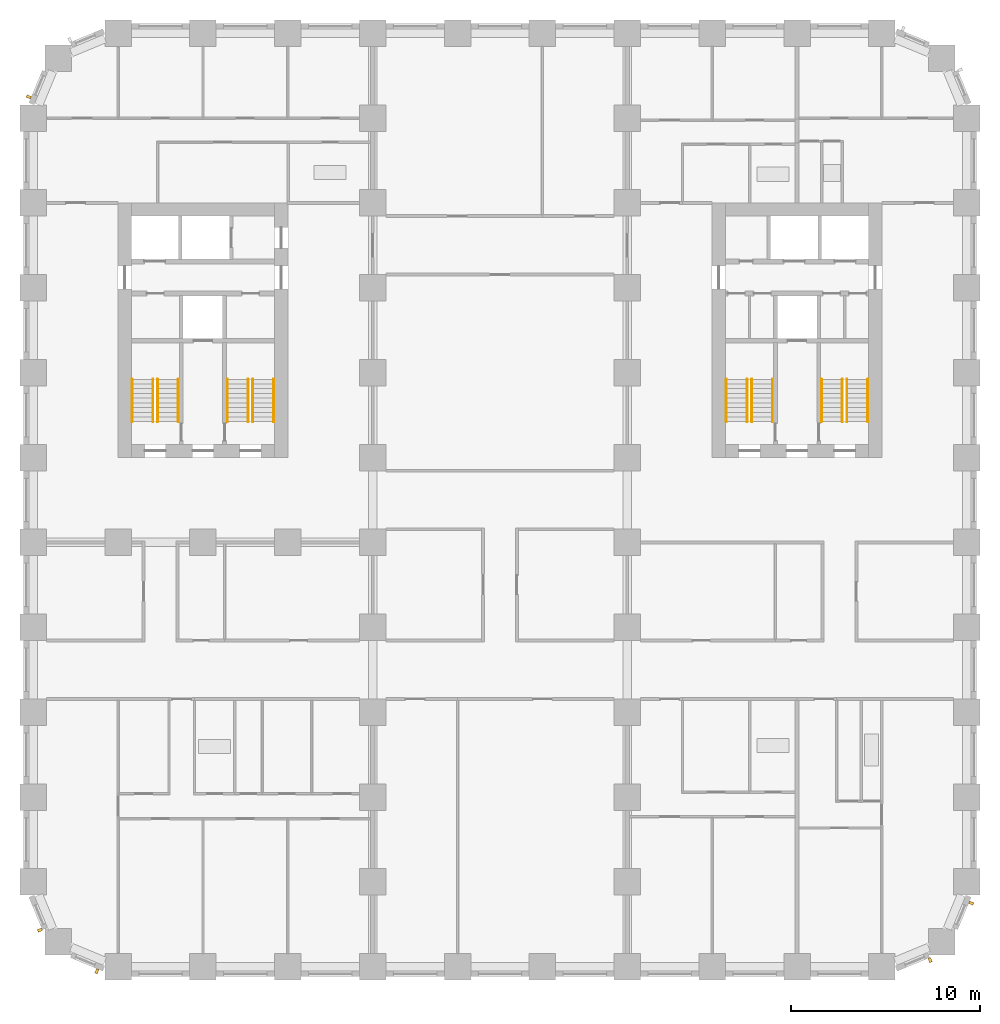
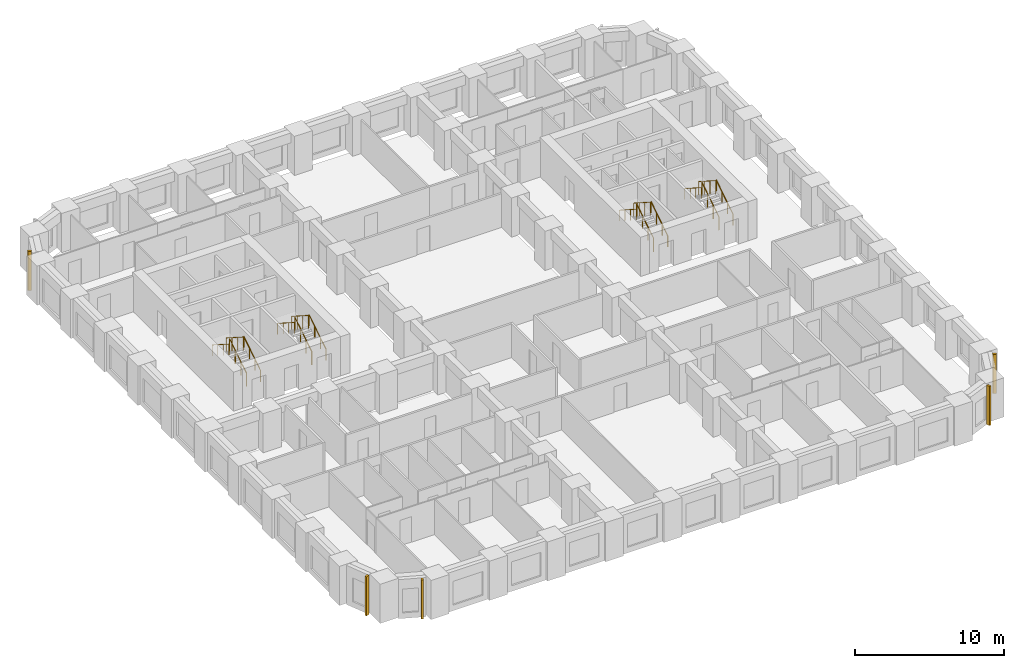
# One storey, part 10 of 12: 16 railings, 5 shading devices.
"""IFC4 building model written with IfcOpenShell, lengths in metres."""

import ifcopenshell
import ifcopenshell.guid

model = None  # the IFC model being written
_history = None  # IfcOwnerHistory: only IFC2X3 demands one
_inside = {}  # id of a spatial element -> (the spatial element, [elements in it])
_under = {}  # id of a project, library or spatial element -> (it, [spatial elements below it])
_declared = {}  # id of a project -> (the project, [libraries it declares])
_typed = {}  # id of a type object -> (the type object, [elements of that type])
_made_of = {}  # id of a material, layer set ... -> (it, [elements and type objects made of it])


def new_model(schema):
    """Start an empty IFC model of exactly this schema.

    Asked for "IFC4X3", IfcOpenShell would pick the latest addendum, in which some entities
    have other attributes; the version numbers below select the first issue.
    IFC2X3 requires an IfcOwnerHistory on every rooted entity: one is made here for all.
    """
    global model, _history
    if schema == "IFC4X3":
        model = ifcopenshell.file(schema_version=(4, 3, 0, 0))
    else:
        model = ifcopenshell.file(schema=schema)
    _inside.clear()
    _under.clear()
    _declared.clear()
    _typed.clear()
    _made_of.clear()
    _history = None
    if model.schema == "IFC2X3":
        org = make("IfcOrganization", Name="unknown")
        user = make(
            "IfcPersonAndOrganization",
            ThePerson=make("IfcPerson", FamilyName="unknown"),
            TheOrganization=org,
        )
        app = make(
            "IfcApplication",
            ApplicationDeveloper=org,
            Version="unknown",
            ApplicationFullName="unknown",
            ApplicationIdentifier="unknown",
        )
        _history = make(
            "IfcOwnerHistory",
            OwningUser=user,
            OwningApplication=app,
            ChangeAction="ADDED",
            CreationDate=0,
        )
    return model


def make(cls, **values):
    """One entity of the class cls with the attributes given. An attribute that is None is left unset."""
    return model.create_entity(
        cls, **{name: value for name, value in values.items() if value is not None}
    )


def rooted(cls, **values):
    """An entity with a GlobalId (a new one), such as an element, a storey or a relation."""
    return make(cls, GlobalId=ifcopenshell.guid.new(), OwnerHistory=_history, **values)


def si_unit(unit_type, name, prefix=None):
    """IfcSIUnit, for example si_unit("LENGTHUNIT", "METRE", prefix="MILLI")."""
    return make("IfcSIUnit", UnitType=unit_type, Prefix=prefix, Name=name)


def assignment(units):
    """IfcUnitAssignment: the units of a project."""
    return None if units is None else make("IfcUnitAssignment", Units=units)


def point(xyz):
    """IfcCartesianPoint."""
    return None if xyz is None else make("IfcCartesianPoint", Coordinates=xyz)


def direction(xyz):
    """IfcDirection."""
    return None if xyz is None else make("IfcDirection", DirectionRatios=xyz)


def frame(location, z_axis=None, x_axis=None):
    """IfcAxis2Placement3D, a coordinate frame: its origin and axes. An axis left out is left unset."""
    return make(
        "IfcAxis2Placement3D",
        Location=point(location),
        Axis=direction(z_axis),
        RefDirection=direction(x_axis),
    )


def frame_2d(location, x_axis=None):
    """IfcAxis2Placement2D, a coordinate frame in the plane: its origin and x axis."""
    return make(
        "IfcAxis2Placement2D", Location=point(location), RefDirection=direction(x_axis)
    )


def origin():
    """The frame at (0, 0, 0) with its axes left unset."""
    return frame((0.0, 0.0, 0.0))


def origin_2d():
    """The frame at (0, 0) in the plane with its x axis left unset."""
    return frame_2d((0.0, 0.0))


def place(relative_to, where):
    """IfcLocalPlacement: puts the frame where relative to a parent placement (None: the world)."""
    return make(
        "IfcLocalPlacement", PlacementRelTo=relative_to, RelativePlacement=where
    )


def context(
    kind, dimensions, precision=None, world=None, true_north=None, identifier=None
):
    """IfcGeometricRepresentationContext, for example the 3D "Model" context."""
    return make(
        "IfcGeometricRepresentationContext",
        ContextIdentifier=identifier,
        ContextType=kind,
        CoordinateSpaceDimension=dimensions,
        Precision=precision,
        WorldCoordinateSystem=world,
        TrueNorth=true_north,
    )


def subcontext(parent, identifier, kind, view, scale=None):
    """IfcGeometricRepresentationSubContext, for example "Body" below "Model"."""
    return make(
        "IfcGeometricRepresentationSubContext",
        ContextIdentifier=identifier,
        ContextType=kind,
        ParentContext=parent,
        TargetScale=scale,
        TargetView=view,
    )


def project(units=None, contexts=None):
    """IfcProject with its units and contexts."""
    return rooted(
        "IfcProject",
        Name="project",
        RepresentationContexts=contexts,
        UnitsInContext=assignment(units),
    )


def spatial(cls, under=None, at=None, **own):
    """A site, building, storey or space (cls), placed at a placement, below another one or the project."""
    s = rooted(cls, ObjectPlacement=at, **own)
    if under is not None:
        _under.setdefault(under.id(), (under, []))[1].append(s)
    return s


def profile(cls, at=None, kind="AREA", **sizes):
    """A parametric profile (cls). Its sizes go by their IFC names, for example OverallWidth=200.0."""
    return make(cls, ProfileType=kind, Position=at, **sizes)


def rectangle(**sizes):
    """IfcRectangleProfileDef."""
    return profile("IfcRectangleProfileDef", **sizes)


def circle(**sizes):
    """IfcCircleProfileDef."""
    return profile("IfcCircleProfileDef", **sizes)


def extrude(swept, where, along, depth):
    """IfcExtrudedAreaSolid: the profile swept, set in the frame where, extruded along a direction by depth."""
    return make(
        "IfcExtrudedAreaSolid",
        SweptArea=swept,
        Position=where,
        ExtrudedDirection=direction(along),
        Depth=depth,
    )


def shape(context_of_items, identifier, shape_type, items):
    """IfcShapeRepresentation: the items that make up one representation, for example the "Body"."""
    return make(
        "IfcShapeRepresentation",
        ContextOfItems=context_of_items,
        RepresentationIdentifier=identifier,
        RepresentationType=shape_type,
        Items=items,
    )


def material(Name=None, Category=None):
    """IfcMaterial."""
    return make("IfcMaterial", Name=Name, Category=Category)


def made_of(thing, what):
    """Note that an element or type object is made of a material, layer set ...; save() writes the relation."""
    if what is not None:
        _made_of.setdefault(what.id(), (what, []))[1].append(thing)
    return thing


def type_object(cls, material=None, **own):
    """A type object (cls), such as IfcWallType, which elements share."""
    return made_of(rooted(cls, **own), material)


def element(
    cls,
    number,
    at=None,
    inside=None,
    cuts=None,
    type_object=None,
    material=None,
    context=None,
    identifier="Body",
    shape_type=None,
    held_by="IfcProductDefinitionShape",
    body=None,
    shapes=None,
    **own,
):
    """One element of the class cls, such as IfcWall. Its Tag is "e" and its number.

    at: its placement. inside: the storey or other place that contains it. cuts: it is an
    opening in that element (IfcRelVoidsElement). A single representation is given by context,
    identifier, shape_type and body (its items); several are given by shapes. held_by: the class
    of the entity that holds the representations. save() writes the other relations.
    """
    e = rooted(cls, Tag="e%d" % number, ObjectPlacement=at, **own)
    if body is not None:
        shapes = [shape(context, identifier, shape_type, body)]
    if shapes is not None:
        e.Representation = make(held_by, Representations=shapes)
    if inside is not None:
        _inside.setdefault(inside.id(), (inside, []))[1].append(e)
    if cuts is not None:
        rooted(
            "IfcRelVoidsElement", RelatingBuildingElement=cuts, RelatedOpeningElement=e
        )
    if type_object is not None:
        _typed.setdefault(type_object.id(), (type_object, []))[1].append(e)
    return made_of(e, material)


def aggregate(whole, parts):
    """IfcRelAggregates: a whole, such as a stair, and the parts it consists of."""
    return rooted("IfcRelAggregates", RelatingObject=whole, RelatedObjects=parts)


def save(model, path):
    """Write the relations noted so far, then the file.

    IfcRelAggregates (storeys below a building ...), IfcRelContainedInSpatialStructure (elements
    in a storey), IfcRelDefinesByType, IfcRelAssociatesMaterial and IfcRelDeclares: one each for
    every whole, place, type object, material and project.
    """
    for whole, parts in _under.values():
        aggregate(whole, parts)
    for where, things in _inside.values():
        rooted(
            "IfcRelContainedInSpatialStructure",
            RelatedElements=things,
            RelatingStructure=where,
        )
    for kind, things in _typed.values():
        rooted("IfcRelDefinesByType", RelatedObjects=things, RelatingType=kind)
    for what, things in _made_of.values():
        rooted("IfcRelAssociatesMaterial", RelatedObjects=things, RelatingMaterial=what)
    for by, libraries in _declared.values():
        rooted("IfcRelDeclares", RelatingContext=by, RelatedDefinitions=libraries)
    model.write(path)


model = new_model("IFC4")

# Units and contexts
model_context = context("Model", 3, precision=1e-05, world=origin(), true_north=direction((0.0, 1.0)))
body_context = subcontext(model_context, "Body", "Model", "MODEL_VIEW")
ifc_project = project(units=[si_unit("LENGTHUNIT", "METRE"), si_unit("AREAUNIT", "SQUARE_METRE"), si_unit("VOLUMEUNIT", "CUBIC_METRE"), si_unit("PLANEANGLEUNIT", "RADIAN"), si_unit("MASSUNIT", "GRAM", prefix="KILO")], contexts=[model_context])

# Site, building, storey
site_placement = place(None, origin())
site = spatial("IfcSite", under=ifc_project, at=site_placement, CompositionType="ELEMENT")
building_placement = place(site_placement, origin())
building = spatial("IfcBuilding", under=site, at=building_placement, Name="Girih Gate Residences", CompositionType="ELEMENT")
storey_placement = place(building_placement, frame((0.0, 0.0, 62.39990234375)))
storey = spatial("IfcBuildingStorey", under=building, at=storey_placement, Name="L16", CompositionType="ELEMENT", Elevation=62.39990234375)

# Shading devices
ifc_material_1 = material(Name="Precast concrete C50/60", Category="concrete")
shading_device_type = type_object("IfcShadingDeviceType", Name="Corner rib 150x250", PredefinedType="USERDEFINED", material=ifc_material_1)
for number, where, z_axis, x_axis, name in (
    (1, (0.35498046875, 1.9443359375, 0.0), (0.0, 0.0, 1.0), (0.382683432365, -0.923879532511, 0.0), "Corner rib SW0000_0045.0"),
    (2, (3.376220703125, -0.238037109375, 0.0), (0.0, 0.0, 1.0), (0.923879532511, -0.382683432365, 0.0), "Corner rib SW0013_0013.0"),
    (3, (47.5556640625, 0.35498046875, 0.0), (0.0, 0.0, 1.0), (0.923879532511, 0.382683432365, 0.0), "Corner rib SE0450_0000.0"),
    (4, (49.738037109375, 3.376220703125, 0.0), (0.0, 0.0, 1.0), (0.382683432365, 0.923879532511, 0.0), "Corner rib SE0482_0013.0"),
    (5, (-0.238037109375, 46.123779296875, 0.0), (0.0, 0.0, 1.0), (-0.382683432365, -0.923879532511, 0.0), "Corner rib NW0013_0482.0"),
):
    element("IfcShadingDevice", number, at=place(storey_placement, frame(where, z_axis=z_axis, x_axis=x_axis)), inside=storey, type_object=shading_device_type, Name=name, ObjectType="FIN", PredefinedType="USERDEFINED", context=body_context, shape_type="SweptSolid", body=[
        extrude(rectangle(XDim=0.14990234375, YDim=0.25, at=origin_2d()), origin(), (0.0, 0.0, 1.0), 3.199951171875),
    ])

# Railings
ifc_material_2 = material(Name="Stainless steel", Category="steel")
railing_type_1 = type_object("IfcRailingType", Name="Stair guard 1100", PredefinedType="GUARDRAIL", material=ifc_material_2)
railing_1_placement = place(storey_placement, frame((6.60009765625, 28.89990234375, 0.16015625)))
element("IfcRailing", 6, at=railing_1_placement, inside=storey, type_object=railing_type_1, Name="L16 ST-W1 stair guard 1", PredefinedType="GUARDRAIL", context=body_context, shape_type="SweptSolid", body=[
    extrude(circle(Radius=0.02392578125, at=origin_2d()), frame((0.0, 0.0, 1.076171875), z_axis=(0.0, 0.842281359387, 0.539038135598), x_axis=(-1.0, 0.0, 0.0)), (0.0, 0.0, 1.0), 2.67138671875),
    extrude(circle(Radius=0.02099609375, at=origin_2d()), origin(), (0.0, 0.0, 1.0), 1.052001953125),
    extrude(circle(Radius=0.02099609375, at=origin_2d()), frame((0.0, 0.75, 0.47998046875)), (0.0, 0.0, 1.0), 1.052001953125),
    extrude(circle(Radius=0.02099609375, at=origin_2d()), frame((0.0, 1.5, 0.9599609375)), (0.0, 0.0, 1.0), 1.052001953125),
    extrude(circle(Radius=0.02099609375, at=origin_2d()), frame((0.0, 2.25, 1.43994140625)), (0.0, 0.0, 1.0), 1.052001953125),
])
railing_2_placement = place(storey_placement, frame((6.35009765625, 31.14990234375, 1.760009765625)))
element("IfcRailing", 7, at=railing_2_placement, inside=storey, type_object=railing_type_1, Name="L16 ST-W1 stair guard 2", PredefinedType="GUARDRAIL", context=body_context, shape_type="SweptSolid", body=[
    extrude(circle(Radius=0.02392578125, at=origin_2d()), frame((0.0, 0.0, 1.076171875), z_axis=(0.0, -0.842239864353, 0.539102968731), x_axis=(1.0, 0.0, 0.0)), (0.0, 0.0, 1.0), 2.67138671875),
    extrude(circle(Radius=0.02099609375, at=origin_2d()), origin(), (0.0, 0.0, 1.0), 1.052001953125),
    extrude(circle(Radius=0.02099609375, at=origin_2d()), frame((0.0, -0.75, 0.47998046875)), (0.0, 0.0, 1.0), 1.052001953125),
    extrude(circle(Radius=0.02099609375, at=origin_2d()), frame((0.0, -1.5, 0.960205078125)), (0.0, 0.0, 1.0), 1.052001953125),
    extrude(circle(Radius=0.02099609375, at=origin_2d()), frame((0.0, -2.25, 1.440185546875)), (0.0, 0.0, 1.0), 1.052001953125),
])
railing_3_placement = place(storey_placement, frame((11.64990234375, 28.89990234375, 0.16015625)))
element("IfcRailing", 8, at=railing_3_placement, inside=storey, type_object=railing_type_1, Name="L16 ST-W2 stair guard 1", PredefinedType="GUARDRAIL", context=body_context, shape_type="SweptSolid", body=[
    extrude(circle(Radius=0.02392578125, at=origin_2d()), frame((0.0, 0.0, 1.076171875), z_axis=(0.0, 0.842281359387, 0.539038135598), x_axis=(-1.0, 0.0, 0.0)), (0.0, 0.0, 1.0), 2.67138671875),
    extrude(circle(Radius=0.02099609375, at=origin_2d()), origin(), (0.0, 0.0, 1.0), 1.052001953125),
    extrude(circle(Radius=0.02099609375, at=origin_2d()), frame((0.0, 0.75, 0.47998046875)), (0.0, 0.0, 1.0), 1.052001953125),
    extrude(circle(Radius=0.02099609375, at=origin_2d()), frame((0.0, 1.5, 0.9599609375)), (0.0, 0.0, 1.0), 1.052001953125),
    extrude(circle(Radius=0.02099609375, at=origin_2d()), frame((0.0, 2.25, 1.43994140625)), (0.0, 0.0, 1.0), 1.052001953125),
])
railing_4_placement = place(storey_placement, frame((11.39990234375, 31.14990234375, 1.760009765625)))
element("IfcRailing", 9, at=railing_4_placement, inside=storey, type_object=railing_type_1, Name="L16 ST-W2 stair guard 2", PredefinedType="GUARDRAIL", context=body_context, shape_type="SweptSolid", body=[
    extrude(circle(Radius=0.02392578125, at=origin_2d()), frame((0.0, 0.0, 1.076171875), z_axis=(0.0, -0.842239864353, 0.539102968731), x_axis=(1.0, 0.0, 0.0)), (0.0, 0.0, 1.0), 2.67138671875),
    extrude(circle(Radius=0.02099609375, at=origin_2d()), origin(), (0.0, 0.0, 1.0), 1.052001953125),
    extrude(circle(Radius=0.02099609375, at=origin_2d()), frame((0.0, -0.75, 0.47998046875)), (0.0, 0.0, 1.0), 1.052001953125),
    extrude(circle(Radius=0.02099609375, at=origin_2d()), frame((0.0, -1.5, 0.960205078125)), (0.0, 0.0, 1.0), 1.052001953125),
    extrude(circle(Radius=0.02099609375, at=origin_2d()), frame((0.0, -2.25, 1.440185546875)), (0.0, 0.0, 1.0), 1.052001953125),
])
railing_5_placement = place(storey_placement, frame((43.14990234375, 28.89990234375, 0.16015625)))
element("IfcRailing", 10, at=railing_5_placement, inside=storey, type_object=railing_type_1, Name="L16 ST-E1 stair guard 1", PredefinedType="GUARDRAIL", context=body_context, shape_type="SweptSolid", body=[
    extrude(circle(Radius=0.02392578125, at=origin_2d()), frame((0.0, 0.0, 1.076171875), z_axis=(0.0, 0.842281359387, 0.539038135598), x_axis=(-1.0, 0.0, 0.0)), (0.0, 0.0, 1.0), 2.67138671875),
    extrude(circle(Radius=0.02099609375, at=origin_2d()), origin(), (0.0, 0.0, 1.0), 1.052001953125),
    extrude(circle(Radius=0.02099609375, at=origin_2d()), frame((0.0, 0.75, 0.47998046875)), (0.0, 0.0, 1.0), 1.052001953125),
    extrude(circle(Radius=0.02099609375, at=origin_2d()), frame((0.0, 1.5, 0.9599609375)), (0.0, 0.0, 1.0), 1.052001953125),
    extrude(circle(Radius=0.02099609375, at=origin_2d()), frame((0.0, 2.25, 1.43994140625)), (0.0, 0.0, 1.0), 1.052001953125),
])
railing_6_placement = place(storey_placement, frame((42.89990234375, 31.14990234375, 1.760009765625)))
element("IfcRailing", 11, at=railing_6_placement, inside=storey, type_object=railing_type_1, Name="L16 ST-E1 stair guard 2", PredefinedType="GUARDRAIL", context=body_context, shape_type="SweptSolid", body=[
    extrude(circle(Radius=0.02392578125, at=origin_2d()), frame((0.0, 0.0, 1.076171875), z_axis=(0.0, -0.842239864353, 0.539102968731), x_axis=(1.0, 0.0, 0.0)), (0.0, 0.0, 1.0), 2.67138671875),
    extrude(circle(Radius=0.02099609375, at=origin_2d()), origin(), (0.0, 0.0, 1.0), 1.052001953125),
    extrude(circle(Radius=0.02099609375, at=origin_2d()), frame((0.0, -0.75, 0.47998046875)), (0.0, 0.0, 1.0), 1.052001953125),
    extrude(circle(Radius=0.02099609375, at=origin_2d()), frame((0.0, -1.5, 0.960205078125)), (0.0, 0.0, 1.0), 1.052001953125),
    extrude(circle(Radius=0.02099609375, at=origin_2d()), frame((0.0, -2.25, 1.440185546875)), (0.0, 0.0, 1.0), 1.052001953125),
])
railing_7_placement = place(storey_placement, frame((38.10009765625, 28.89990234375, 0.16015625)))
element("IfcRailing", 12, at=railing_7_placement, inside=storey, type_object=railing_type_1, Name="L16 ST-E2 stair guard 1", PredefinedType="GUARDRAIL", context=body_context, shape_type="SweptSolid", body=[
    extrude(circle(Radius=0.02392578125, at=origin_2d()), frame((0.0, 0.0, 1.076171875), z_axis=(0.0, 0.842281359387, 0.539038135598), x_axis=(-1.0, 0.0, 0.0)), (0.0, 0.0, 1.0), 2.67138671875),
    extrude(circle(Radius=0.02099609375, at=origin_2d()), origin(), (0.0, 0.0, 1.0), 1.052001953125),
    extrude(circle(Radius=0.02099609375, at=origin_2d()), frame((0.0, 0.75, 0.47998046875)), (0.0, 0.0, 1.0), 1.052001953125),
    extrude(circle(Radius=0.02099609375, at=origin_2d()), frame((0.0, 1.5, 0.9599609375)), (0.0, 0.0, 1.0), 1.052001953125),
    extrude(circle(Radius=0.02099609375, at=origin_2d()), frame((0.0, 2.25, 1.43994140625)), (0.0, 0.0, 1.0), 1.052001953125),
])
railing_8_placement = place(storey_placement, frame((37.85009765625, 31.14990234375, 1.760009765625)))
element("IfcRailing", 13, at=railing_8_placement, inside=storey, type_object=railing_type_1, Name="L16 ST-E2 stair guard 2", PredefinedType="GUARDRAIL", context=body_context, shape_type="SweptSolid", body=[
    extrude(circle(Radius=0.02392578125, at=origin_2d()), frame((0.0, 0.0, 1.076171875), z_axis=(0.0, -0.842239864353, 0.539102968731), x_axis=(1.0, 0.0, 0.0)), (0.0, 0.0, 1.0), 2.67138671875),
    extrude(circle(Radius=0.02099609375, at=origin_2d()), origin(), (0.0, 0.0, 1.0), 1.052001953125),
    extrude(circle(Radius=0.02099609375, at=origin_2d()), frame((0.0, -0.75, 0.47998046875)), (0.0, 0.0, 1.0), 1.052001953125),
    extrude(circle(Radius=0.02099609375, at=origin_2d()), frame((0.0, -1.5, 0.960205078125)), (0.0, 0.0, 1.0), 1.052001953125),
    extrude(circle(Radius=0.02099609375, at=origin_2d()), frame((0.0, -2.25, 1.440185546875)), (0.0, 0.0, 1.0), 1.052001953125),
])
railing_type_2 = type_object("IfcRailingType", Name="Stair handrail 900", PredefinedType="HANDRAIL", material=ifc_material_2)
railing_9_placement = place(storey_placement, frame((7.699951171875, 28.89990234375, 0.16015625)))
element("IfcRailing", 14, at=railing_9_placement, inside=storey, type_object=railing_type_2, Name="L16 ST-W1 stair handrail 1", PredefinedType="HANDRAIL", context=body_context, shape_type="SweptSolid", body=[
    extrude(circle(Radius=0.02392578125, at=origin_2d()), frame((0.0, 0.0, 0.8857421875), z_axis=(0.0, 0.842281359387, 0.539038135598), x_axis=(-1.0, 0.0, 0.0)), (0.0, 0.0, 1.0), 2.67138671875),
    extrude(circle(Radius=0.02099609375, at=origin_2d()), origin(), (0.0, 0.0, 1.0), 0.86181640625),
    extrude(circle(Radius=0.02099609375, at=origin_2d()), frame((0.0, 0.75, 0.47998046875)), (0.0, 0.0, 1.0), 0.86181640625),
    extrude(circle(Radius=0.02099609375, at=origin_2d()), frame((0.0, 1.5, 0.9599609375)), (0.0, 0.0, 1.0), 0.86181640625),
    extrude(circle(Radius=0.02099609375, at=origin_2d()), frame((0.0, 2.25, 1.43994140625)), (0.0, 0.0, 1.0), 0.86181640625),
])
railing_10_placement = place(storey_placement, frame((5.25, 31.14990234375, 1.760009765625)))
element("IfcRailing", 15, at=railing_10_placement, inside=storey, type_object=railing_type_2, Name="L16 ST-W1 stair handrail 2", PredefinedType="HANDRAIL", context=body_context, shape_type="SweptSolid", body=[
    extrude(circle(Radius=0.02392578125, at=origin_2d()), frame((0.0, 0.0, 0.8857421875), z_axis=(0.0, -0.842239864353, 0.539102968731), x_axis=(1.0, 0.0, 0.0)), (0.0, 0.0, 1.0), 2.67138671875),
    extrude(circle(Radius=0.02099609375, at=origin_2d()), origin(), (0.0, 0.0, 1.0), 0.86181640625),
    extrude(circle(Radius=0.02099609375, at=origin_2d()), frame((0.0, -0.75, 0.47998046875)), (0.0, 0.0, 1.0), 0.86181640625),
    extrude(circle(Radius=0.02099609375, at=origin_2d()), frame((0.0, -1.5, 0.960205078125)), (0.0, 0.0, 1.0), 0.86181640625),
    extrude(circle(Radius=0.02099609375, at=origin_2d()), frame((0.0, -2.25, 1.440185546875)), (0.0, 0.0, 1.0), 0.86181640625),
])
railing_11_placement = place(storey_placement, frame((12.75, 28.89990234375, 0.16015625)))
element("IfcRailing", 16, at=railing_11_placement, inside=storey, type_object=railing_type_2, Name="L16 ST-W2 stair handrail 1", PredefinedType="HANDRAIL", context=body_context, shape_type="SweptSolid", body=[
    extrude(circle(Radius=0.02392578125, at=origin_2d()), frame((0.0, 0.0, 0.8857421875), z_axis=(0.0, 0.842281359387, 0.539038135598), x_axis=(-1.0, 0.0, 0.0)), (0.0, 0.0, 1.0), 2.67138671875),
    extrude(circle(Radius=0.02099609375, at=origin_2d()), origin(), (0.0, 0.0, 1.0), 0.86181640625),
    extrude(circle(Radius=0.02099609375, at=origin_2d()), frame((0.0, 0.75, 0.47998046875)), (0.0, 0.0, 1.0), 0.86181640625),
    extrude(circle(Radius=0.02099609375, at=origin_2d()), frame((0.0, 1.5, 0.9599609375)), (0.0, 0.0, 1.0), 0.86181640625),
    extrude(circle(Radius=0.02099609375, at=origin_2d()), frame((0.0, 2.25, 1.43994140625)), (0.0, 0.0, 1.0), 0.86181640625),
])
railing_12_placement = place(storey_placement, frame((10.300048828125, 31.14990234375, 1.760009765625)))
element("IfcRailing", 17, at=railing_12_placement, inside=storey, type_object=railing_type_2, Name="L16 ST-W2 stair handrail 2", PredefinedType="HANDRAIL", context=body_context, shape_type="SweptSolid", body=[
    extrude(circle(Radius=0.02392578125, at=origin_2d()), frame((0.0, 0.0, 0.8857421875), z_axis=(0.0, -0.842239864353, 0.539102968731), x_axis=(1.0, 0.0, 0.0)), (0.0, 0.0, 1.0), 2.67138671875),
    extrude(circle(Radius=0.02099609375, at=origin_2d()), origin(), (0.0, 0.0, 1.0), 0.86181640625),
    extrude(circle(Radius=0.02099609375, at=origin_2d()), frame((0.0, -0.75, 0.47998046875)), (0.0, 0.0, 1.0), 0.86181640625),
    extrude(circle(Radius=0.02099609375, at=origin_2d()), frame((0.0, -1.5, 0.960205078125)), (0.0, 0.0, 1.0), 0.86181640625),
    extrude(circle(Radius=0.02099609375, at=origin_2d()), frame((0.0, -2.25, 1.440185546875)), (0.0, 0.0, 1.0), 0.86181640625),
])
railing_13_placement = place(storey_placement, frame((44.25, 28.89990234375, 0.16015625)))
element("IfcRailing", 18, at=railing_13_placement, inside=storey, type_object=railing_type_2, Name="L16 ST-E1 stair handrail 1", PredefinedType="HANDRAIL", context=body_context, shape_type="SweptSolid", body=[
    extrude(circle(Radius=0.02392578125, at=origin_2d()), frame((0.0, 0.0, 0.8857421875), z_axis=(0.0, 0.842281359387, 0.539038135598), x_axis=(-1.0, 0.0, 0.0)), (0.0, 0.0, 1.0), 2.67138671875),
    extrude(circle(Radius=0.02099609375, at=origin_2d()), origin(), (0.0, 0.0, 1.0), 0.86181640625),
    extrude(circle(Radius=0.02099609375, at=origin_2d()), frame((0.0, 0.75, 0.47998046875)), (0.0, 0.0, 1.0), 0.86181640625),
    extrude(circle(Radius=0.02099609375, at=origin_2d()), frame((0.0, 1.5, 0.9599609375)), (0.0, 0.0, 1.0), 0.86181640625),
    extrude(circle(Radius=0.02099609375, at=origin_2d()), frame((0.0, 2.25, 1.43994140625)), (0.0, 0.0, 1.0), 0.86181640625),
])
railing_14_placement = place(storey_placement, frame((41.800048828125, 31.14990234375, 1.760009765625)))
element("IfcRailing", 19, at=railing_14_placement, inside=storey, type_object=railing_type_2, Name="L16 ST-E1 stair handrail 2", PredefinedType="HANDRAIL", context=body_context, shape_type="SweptSolid", body=[
    extrude(circle(Radius=0.02392578125, at=origin_2d()), frame((0.0, 0.0, 0.8857421875), z_axis=(0.0, -0.842239864353, 0.539102968731), x_axis=(1.0, 0.0, 0.0)), (0.0, 0.0, 1.0), 2.67138671875),
    extrude(circle(Radius=0.02099609375, at=origin_2d()), origin(), (0.0, 0.0, 1.0), 0.86181640625),
    extrude(circle(Radius=0.02099609375, at=origin_2d()), frame((0.0, -0.75, 0.47998046875)), (0.0, 0.0, 1.0), 0.86181640625),
    extrude(circle(Radius=0.02099609375, at=origin_2d()), frame((0.0, -1.5, 0.960205078125)), (0.0, 0.0, 1.0), 0.86181640625),
    extrude(circle(Radius=0.02099609375, at=origin_2d()), frame((0.0, -2.25, 1.440185546875)), (0.0, 0.0, 1.0), 0.86181640625),
])
railing_15_placement = place(storey_placement, frame((39.199951171875, 28.89990234375, 0.16015625)))
element("IfcRailing", 20, at=railing_15_placement, inside=storey, type_object=railing_type_2, Name="L16 ST-E2 stair handrail 1", PredefinedType="HANDRAIL", context=body_context, shape_type="SweptSolid", body=[
    extrude(circle(Radius=0.02392578125, at=origin_2d()), frame((0.0, 0.0, 0.8857421875), z_axis=(0.0, 0.842281359387, 0.539038135598), x_axis=(-1.0, 0.0, 0.0)), (0.0, 0.0, 1.0), 2.67138671875),
    extrude(circle(Radius=0.02099609375, at=origin_2d()), origin(), (0.0, 0.0, 1.0), 0.86181640625),
    extrude(circle(Radius=0.02099609375, at=origin_2d()), frame((0.0, 0.75, 0.47998046875)), (0.0, 0.0, 1.0), 0.86181640625),
    extrude(circle(Radius=0.02099609375, at=origin_2d()), frame((0.0, 1.5, 0.9599609375)), (0.0, 0.0, 1.0), 0.86181640625),
    extrude(circle(Radius=0.02099609375, at=origin_2d()), frame((0.0, 2.25, 1.43994140625)), (0.0, 0.0, 1.0), 0.86181640625),
])
railing_16_placement = place(storey_placement, frame((36.75, 31.14990234375, 1.760009765625)))
element("IfcRailing", 21, at=railing_16_placement, inside=storey, type_object=railing_type_2, Name="L16 ST-E2 stair handrail 2", PredefinedType="HANDRAIL", context=body_context, shape_type="SweptSolid", body=[
    extrude(circle(Radius=0.02392578125, at=origin_2d()), frame((0.0, 0.0, 0.8857421875), z_axis=(0.0, -0.842239864353, 0.539102968731), x_axis=(1.0, 0.0, 0.0)), (0.0, 0.0, 1.0), 2.67138671875),
    extrude(circle(Radius=0.02099609375, at=origin_2d()), origin(), (0.0, 0.0, 1.0), 0.86181640625),
    extrude(circle(Radius=0.02099609375, at=origin_2d()), frame((0.0, -0.75, 0.47998046875)), (0.0, 0.0, 1.0), 0.86181640625),
    extrude(circle(Radius=0.02099609375, at=origin_2d()), frame((0.0, -1.5, 0.960205078125)), (0.0, 0.0, 1.0), 0.86181640625),
    extrude(circle(Radius=0.02099609375, at=origin_2d()), frame((0.0, -2.25, 1.440185546875)), (0.0, 0.0, 1.0), 0.86181640625),
])

save(model, "model.ifc")
